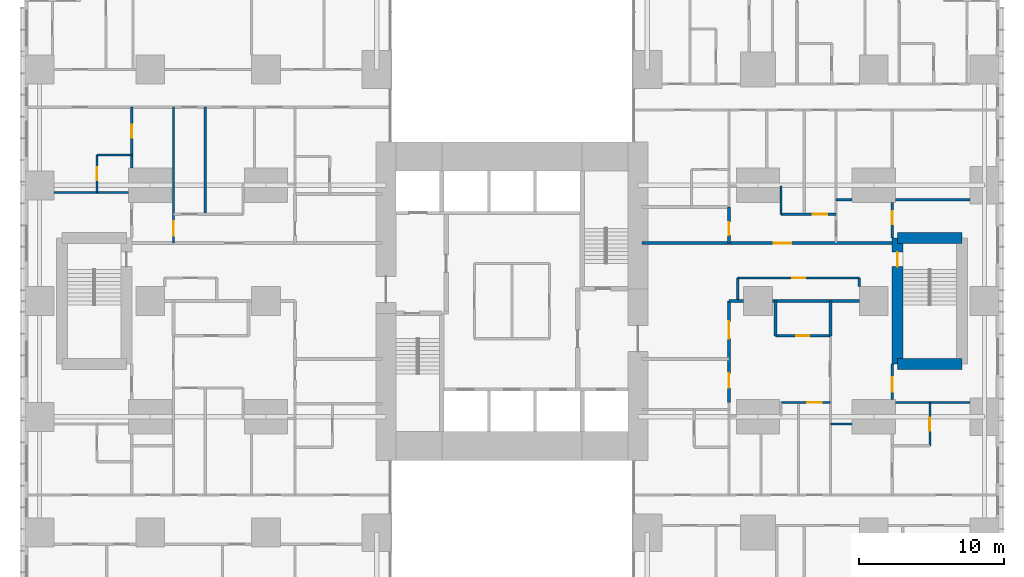
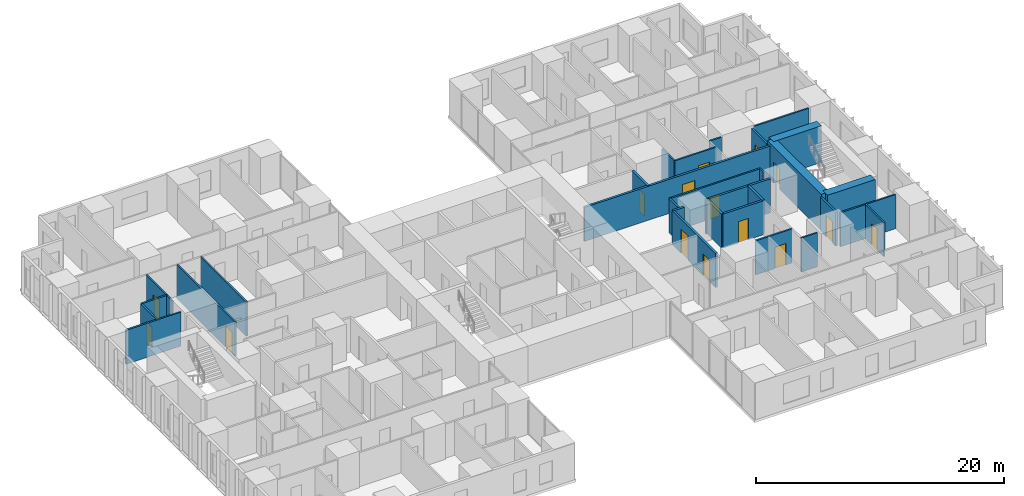
# One storey, part 16 of 21: 30 walls, 15 doors, 15 openings.
"""IFC4 building model written with IfcOpenShell, lengths in metres."""

from ifc_helpers import new_model, si_unit, direction, frame, frame_2d, origin, place, context, subcontext, project, spatial, rectangle, extrude, material, layer, layer_set, type_object, element, fill, save


model = new_model("IFC4")

# Units and contexts
model_context = context("Model", 3, precision=1e-05, world=origin(), true_north=direction((0.0, 1.0)))
body_context = subcontext(model_context, "Body", "Model", "MODEL_VIEW")
ifc_project = project(units=[si_unit("LENGTHUNIT", "METRE"), si_unit("AREAUNIT", "SQUARE_METRE"), si_unit("VOLUMEUNIT", "CUBIC_METRE"), si_unit("PLANEANGLEUNIT", "RADIAN"), si_unit("MASSUNIT", "GRAM", prefix="KILO")], contexts=[model_context])

# Site, building, storey
site_placement = place(None, origin())
site = spatial("IfcSite", under=ifc_project, at=site_placement, CompositionType="ELEMENT")
building_placement = place(site_placement, origin())
building = spatial("IfcBuilding", under=site, at=building_placement, Name="Cleftline Residences", CompositionType="ELEMENT")
storey_placement = place(building_placement, frame((0.0, 0.0, 65.60009765625)))
storey = spatial("IfcBuildingStorey", under=building, at=storey_placement, Name="L16", CompositionType="ELEMENT", Elevation=65.60009765625)

# Wall, opening, door
ifc_material_1 = material(Name="Concrete blockwork, fire rated", Category="masonry")
ifc_layer_1 = layer(ifc_material_1, 0.199951171875)
ifc_layer_set_1 = layer_set([ifc_layer_1], Name="FIRE WALL 200")
wall_type_1 = type_object("IfcWallType", Name="FIRE WALL 200", PredefinedType="PARTITIONING", material=ifc_layer_set_1)
wall_1_placement = place(storey_placement, frame((51.199951171875, 21.60009765625, 0.0), z_axis=(0.0, 0.0, 1.0), x_axis=(1.0, 0.0, 0.0)))
wall_1 = element("IfcWall", 1, at=wall_1_placement, inside=storey, type_object=wall_type_1, Name="Fire separating wall", PredefinedType="PARTITIONING", context=body_context, shape_type="SweptSolid", body=[
    extrude(rectangle(XDim=3.800048828125, YDim=0.199951171875, at=frame_2d((1.89990234375, 0.0))), origin(), (0.0, 0.0, 1.0), 3.349853515625),
])
opening_1_placement = place(wall_1_placement, frame((1.449951171875, 0.0, 0.0)))
opening_1 = element("IfcOpeningElement", 2, at=opening_1_placement, cuts=wall_1, Name="Opening D1F30", PredefinedType="OPENING", context=body_context, shape_type="SweptSolid", body=[
    extrude(rectangle(XDim=0.89990234375, YDim=2.10009765625, at=frame_2d((0.449951171875, 1.050048828125))), frame((0.0, 0.10986328125, 0.0), z_axis=(0.0, -1.0, 0.0), x_axis=(1.0, 0.0, 0.0)), (0.0, 0.0, 1.0), 0.219970703125),
])
ifc_material_2 = material(Name="Timber veneer on solid core", Category="wood")
door_type_1 = type_object("IfcDoorType", Name="DOOR 900X2100 EI 30", OperationType="SINGLE_SWING_LEFT", PredefinedType="DOOR", material=ifc_material_2)
door_1_placement = place(opening_1_placement, origin())
door_1 = element("IfcDoor", 3, at=door_1_placement, inside=storey, type_object=door_type_1, Name="Door to cloakroom wc", OperationType="SINGLE_SWING_LEFT", OverallHeight=2.10009765625, OverallWidth=0.89990234375, PredefinedType="DOOR", context=body_context, shape_type="SweptSolid", body=[
    extrude(rectangle(XDim=0.89990234375, YDim=2.10009765625, at=frame_2d((0.449951171875, 1.050048828125))), frame((0.0, 0.02490234375, 0.0), z_axis=(0.0, -1.0, 0.0), x_axis=(1.0, 0.0, 0.0)), (0.0, 0.0, 1.0), 0.050048828125),
])
fill(opening_1, door_1)

# Walls
wall_2_placement = place(storey_placement, frame((48.0, 24.0, 0.0), z_axis=(0.0, 0.0, 1.0), x_axis=(1.0, 0.0, 0.0)))
element("IfcWall", 4, at=wall_2_placement, inside=storey, type_object=wall_type_1, Name="Fire separating wall", PredefinedType="PARTITIONING", context=body_context, shape_type="SweptSolid", body=[
    extrude(rectangle(XDim=1.0, YDim=0.199951171875, at=frame_2d((0.5, 0.0))), origin(), (0.0, 0.0, 1.0), 3.349853515625),
])
wall_3_placement = place(storey_placement, frame((51.0, 24.0, 0.0), z_axis=(0.0, 0.0, 1.0), x_axis=(1.0, 0.0, 0.0)))
element("IfcWall", 5, at=wall_3_placement, inside=storey, type_object=wall_type_1, Name="Fire separating wall", PredefinedType="PARTITIONING", context=body_context, shape_type="SweptSolid", body=[
    extrude(rectangle(XDim=6.0, YDim=0.199951171875, at=frame_2d((3.0, 0.0))), origin(), (0.0, 0.0, 1.0), 3.349853515625),
])

# Wall, opening, door
wall_4_placement = place(storey_placement, frame((42.0, 28.0, 0.0), z_axis=(0.0, 0.0, 1.0), x_axis=(1.0, 0.0, 0.0)))
wall_4 = element("IfcWall", 6, at=wall_4_placement, inside=storey, type_object=wall_type_1, Name="Fire separating wall", PredefinedType="PARTITIONING", context=body_context, shape_type="SweptSolid", body=[
    extrude(rectangle(XDim=17.27490234375, YDim=0.199951171875, at=frame_2d((8.637451171875, 0.0))), origin(), (0.0, 0.0, 1.0), 3.349853515625),
])
opening_2_placement = place(wall_4_placement, frame((9.10009765625, 0.0, 0.0)))
opening_2 = element("IfcOpeningElement", 7, at=opening_2_placement, cuts=wall_4, Name="Opening D4", PredefinedType="OPENING", context=body_context, shape_type="SweptSolid", body=[
    extrude(rectangle(XDim=1.199951171875, YDim=2.39990234375, at=frame_2d((0.60009765625, 1.199951171875))), frame((0.0, 0.10986328125, 0.0), z_axis=(0.0, -1.0, 0.0), x_axis=(1.0, 0.0, 0.0)), (0.0, 0.0, 1.0), 0.219970703125),
])
ifc_material_3 = material(Name="Timber veneer on solid core", Category="wood")
door_type_2 = type_object("IfcDoorType", Name="APARTMENT ENTRANCE DOOR 1200X2400", OperationType="SINGLE_SWING_RIGHT", PredefinedType="DOOR", material=ifc_material_3)
door_2_placement = place(opening_2_placement, origin())
door_2 = element("IfcDoor", 8, at=door_2_placement, inside=storey, type_object=door_type_2, Name="Door to residence entrance foyer", OperationType="SINGLE_SWING_LEFT", OverallHeight=2.39990234375, OverallWidth=1.199951171875, PredefinedType="DOOR", context=body_context, shape_type="SweptSolid", body=[
    extrude(rectangle(XDim=1.199951171875, YDim=2.39990234375, at=frame_2d((0.60009765625, 1.199951171875))), frame((0.0, 0.02490234375, 0.0), z_axis=(0.0, -1.0, 0.0), x_axis=(1.0, 0.0, 0.0)), (0.0, 0.0, 1.0), 0.050048828125),
])
fill(opening_2, door_2)

# Wall, openings, doors
wall_5_placement = place(storey_placement, frame((48.0, 17.0, 0.0), z_axis=(0.0, 0.0, 1.0), x_axis=(0.0, 1.0, 0.0)))
wall_5 = element("IfcWall", 9, at=wall_5_placement, inside=storey, type_object=wall_type_1, Name="Fire separating wall", PredefinedType="PARTITIONING", context=body_context, shape_type="SweptSolid", body=[
    extrude(rectangle(XDim=7.0, YDim=0.199951171875, at=frame_2d((3.5, 0.0))), origin(), (0.0, 0.0, 1.0), 3.349853515625),
])
opening_3_placement = place(wall_5_placement, frame((4.39990234375, 0.0, 0.0)))
opening_3 = element("IfcOpeningElement", 10, at=opening_3_placement, cuts=wall_5, Name="Opening D4", PredefinedType="OPENING", context=body_context, shape_type="SweptSolid", body=[
    extrude(rectangle(XDim=1.199951171875, YDim=2.39990234375, at=frame_2d((0.60009765625, 1.199951171875))), frame((0.0, 0.10986328125, 0.0), z_axis=(0.0, -1.0, 0.0), x_axis=(1.0, 0.0, 0.0)), (0.0, 0.0, 1.0), 0.219970703125),
])
opening_4_placement = place(wall_5_placement, frame((1.0, 0.0, 0.0)))
opening_4 = element("IfcOpeningElement", 11, at=opening_4_placement, cuts=wall_5, Name="Opening D2F30", PredefinedType="OPENING", context=body_context, shape_type="SweptSolid", body=[
    extrude(rectangle(XDim=1.0, YDim=2.10009765625, at=frame_2d((0.5, 1.050048828125))), frame((0.0, 0.10986328125, 0.0), z_axis=(0.0, -1.0, 0.0), x_axis=(1.0, 0.0, 0.0)), (0.0, 0.0, 1.0), 0.219970703125),
])
door_3_placement = place(opening_3_placement, origin())
door_3 = element("IfcDoor", 12, at=door_3_placement, inside=storey, type_object=door_type_2, Name="Door to residence entrance foyer", OperationType="SINGLE_SWING_LEFT", OverallHeight=2.39990234375, OverallWidth=1.199951171875, PredefinedType="DOOR", context=body_context, shape_type="SweptSolid", body=[
    extrude(rectangle(XDim=1.199951171875, YDim=2.39990234375, at=frame_2d((0.60009765625, 1.199951171875))), frame((0.0, 0.02490234375, 0.0), z_axis=(0.0, -1.0, 0.0), x_axis=(1.0, 0.0, 0.0)), (0.0, 0.0, 1.0), 0.050048828125),
])
fill(opening_3, door_3)
ifc_material_4 = material(Name="Timber veneer on solid core", Category="wood")
door_type_3 = type_object("IfcDoorType", Name="DOOR 1000X2100 EI 30", OperationType="SINGLE_SWING_LEFT", PredefinedType="DOOR", material=ifc_material_4)
door_4_placement = place(opening_4_placement, origin())
door_4 = element("IfcDoor", 13, at=door_4_placement, inside=storey, type_object=door_type_3, Name="Door to wet kitchen", OperationType="SINGLE_SWING_RIGHT", OverallHeight=2.10009765625, OverallWidth=1.0, PredefinedType="DOOR", context=body_context, shape_type="SweptSolid", body=[
    extrude(rectangle(XDim=1.0, YDim=2.10009765625, at=frame_2d((0.5, 1.050048828125))), frame((0.0, 0.02490234375, 0.0), z_axis=(0.0, -1.0, 0.0), x_axis=(1.0, 0.0, 0.0)), (0.0, 0.0, 1.0), 0.050048828125),
])
fill(opening_4, door_4)

# Wall, opening, door
wall_6_placement = place(storey_placement, frame((48.0, 28.0, 0.0), z_axis=(0.0, 0.0, 1.0), x_axis=(0.0, 1.0, 0.0)))
wall_6 = element("IfcWall", 14, at=wall_6_placement, inside=storey, type_object=wall_type_1, Name="Fire separating wall", PredefinedType="PARTITIONING", context=body_context, shape_type="SweptSolid", body=[
    extrude(rectangle(XDim=2.5, YDim=0.199951171875, at=frame_2d((1.25, 0.0))), origin(), (0.0, 0.0, 1.0), 3.349853515625),
])
opening_5_placement = place(wall_6_placement, frame((0.550048828125, 0.0, 0.0)))
opening_5 = element("IfcOpeningElement", 15, at=opening_5_placement, cuts=wall_6, Name="Opening D1F30", PredefinedType="OPENING", context=body_context, shape_type="SweptSolid", body=[
    extrude(rectangle(XDim=0.89990234375, YDim=2.10009765625, at=frame_2d((0.449951171875, 1.050048828125))), frame((0.0, 0.10986328125, 0.0), z_axis=(0.0, -1.0, 0.0), x_axis=(1.0, 0.0, 0.0)), (0.0, 0.0, 1.0), 0.219970703125),
])
door_5_placement = place(opening_5_placement, origin())
door_5 = element("IfcDoor", 16, at=door_5_placement, inside=storey, type_object=door_type_1, Name="Door to laundry and wc", OperationType="SINGLE_SWING_RIGHT", OverallHeight=2.10009765625, OverallWidth=0.89990234375, PredefinedType="DOOR", context=body_context, shape_type="SweptSolid", body=[
    extrude(rectangle(XDim=0.89990234375, YDim=2.10009765625, at=frame_2d((0.449951171875, 1.050048828125))), frame((0.0, 0.02490234375, 0.0), z_axis=(0.0, -1.0, 0.0), x_axis=(1.0, 0.0, 0.0)), (0.0, 0.0, 1.0), 0.050048828125),
])
fill(opening_5, door_5)

# Walls
for number, where, z_axis, x_axis, name in (
    (17, (51.199951171875, 21.60009765625, 0.0), (0.0, 0.0, 1.0), (0.0, 1.0, 0.0), "Fire separating wall"),
    (18, (55.0, 21.60009765625, 0.0), (0.0, 0.0, 1.0), (0.0, 1.0, 0.0), "Fire separating wall"),
):
    element("IfcWall", number, at=place(storey_placement, frame(where, z_axis=z_axis, x_axis=x_axis)), inside=storey, type_object=wall_type_1, Name=name, PredefinedType="PARTITIONING", context=body_context, shape_type="SweptSolid", body=[
        extrude(rectangle(XDim=2.39990234375, YDim=0.199951171875, at=frame_2d((1.199951171875, 0.0))), origin(), (0.0, 0.0, 1.0), 3.349853515625),
    ])
ifc_material_5 = material(Name="Gypsum board on steel studs", Category="steel")
ifc_layer_2 = layer(ifc_material_5, 0.14990234375)
ifc_layer_set_2 = layer_set([ifc_layer_2], Name="PARTITION 150")
wall_type_2 = type_object("IfcWallType", Name="PARTITION 150", PredefinedType="PARTITIONING", material=ifc_layer_set_2)
wall_7_placement = place(storey_placement, frame((55.0, 15.5, 0.0), z_axis=(0.0, 0.0, 1.0), x_axis=(1.0, 0.0, 0.0)))
element("IfcWall", 19, at=wall_7_placement, inside=storey, type_object=wall_type_2, Name="Partition", PredefinedType="PARTITIONING", context=body_context, shape_type="SweptSolid", body=[
    extrude(rectangle(XDim=1.5, YDim=0.14990234375, at=frame_2d((0.75, 0.0))), origin(), (0.0, 0.0, 1.0), 3.349853515625),
])

# Wall, opening, door
wall_8_placement = place(storey_placement, frame((51.60009765625, 17.0, 0.0), z_axis=(0.0, 0.0, 1.0), x_axis=(1.0, 0.0, 0.0)))
wall_8 = element("IfcWall", 20, at=wall_8_placement, inside=storey, type_object=wall_type_2, Name="Partition", PredefinedType="PARTITIONING", context=body_context, shape_type="SweptSolid", body=[
    extrude(rectangle(XDim=3.39990234375, YDim=0.14990234375, at=frame_2d((1.699951171875, 0.0))), origin(), (0.0, 0.0, 1.0), 3.349853515625),
])
opening_6_placement = place(wall_8_placement, frame((1.800048828125, 0.0, 0.0)))
opening_6 = element("IfcOpeningElement", 21, at=opening_6_placement, cuts=wall_8, Name="Opening D2", PredefinedType="OPENING", context=body_context, shape_type="SweptSolid", body=[
    extrude(rectangle(XDim=1.0, YDim=2.10009765625, at=frame_2d((0.5, 1.050048828125))), frame((0.0, 0.0849609375, 0.0), z_axis=(0.0, -1.0, 0.0), x_axis=(1.0, 0.0, 0.0)), (0.0, 0.0, 1.0), 0.169921875),
])
ifc_material_6 = material(Name="Timber veneer on solid core", Category="wood")
door_type_4 = type_object("IfcDoorType", Name="DOOR 1000X2100", OperationType="SINGLE_SWING_LEFT", PredefinedType="DOOR", material=ifc_material_6)
door_6_placement = place(opening_6_placement, origin())
door_6 = element("IfcDoor", 22, at=door_6_placement, inside=storey, type_object=door_type_4, Name="Door to residence passage", OperationType="SINGLE_SWING_LEFT", OverallHeight=2.10009765625, OverallWidth=1.0, PredefinedType="DOOR", context=body_context, shape_type="SweptSolid", body=[
    extrude(rectangle(XDim=1.0, YDim=2.10009765625, at=frame_2d((0.5, 1.050048828125))), frame((0.0, 0.02490234375, 0.0), z_axis=(0.0, -1.0, 0.0), x_axis=(1.0, 0.0, 0.0)), (0.0, 0.0, 1.0), 0.050048828125),
])
fill(opening_6, door_6)

# Wall
wall_9_placement = place(storey_placement, frame((59.5, 17.0, 0.0), z_axis=(0.0, 0.0, 1.0), x_axis=(1.0, 0.0, 0.0)))
element("IfcWall", 23, at=wall_9_placement, inside=storey, type_object=wall_type_2, Name="Partition", PredefinedType="PARTITIONING", context=body_context, shape_type="SweptSolid", body=[
    extrude(rectangle(XDim=5.14990234375, YDim=0.14990234375, at=frame_2d((2.574951171875, 0.0))), origin(), (0.0, 0.0, 1.0), 3.349853515625),
])

# Wall, opening, door
wall_10_placement = place(storey_placement, frame((48.60009765625, 25.60009765625, 0.0), z_axis=(0.0, 0.0, 1.0), x_axis=(1.0, 0.0, 0.0)))
wall_10 = element("IfcWall", 24, at=wall_10_placement, inside=storey, type_object=wall_type_2, Name="Partition", PredefinedType="PARTITIONING", context=body_context, shape_type="SweptSolid", body=[
    extrude(rectangle(XDim=8.39990234375, YDim=0.14990234375, at=frame_2d((4.199951171875, 0.0))), origin(), (0.0, 0.0, 1.0), 3.349853515625),
])
opening_7_placement = place(wall_10_placement, frame((3.75, 0.0, 0.0)))
opening_7 = element("IfcOpeningElement", 25, at=opening_7_placement, cuts=wall_10, Name="Opening D1", PredefinedType="OPENING", context=body_context, shape_type="SweptSolid", body=[
    extrude(rectangle(XDim=0.89990234375, YDim=2.10009765625, at=frame_2d((0.449951171875, 1.050048828125))), frame((0.0, 0.0849609375, 0.0), z_axis=(0.0, -1.0, 0.0), x_axis=(1.0, 0.0, 0.0)), (0.0, 0.0, 1.0), 0.169921875),
])
ifc_material_7 = material(Name="Timber veneer on solid core", Category="wood")
door_type_5 = type_object("IfcDoorType", Name="DOOR 900X2100", OperationType="SINGLE_SWING_LEFT", PredefinedType="DOOR", material=ifc_material_7)
door_7_placement = place(opening_7_placement, origin())
door_7 = element("IfcDoor", 26, at=door_7_placement, inside=storey, type_object=door_type_5, Name="Door to residents' locker room", OperationType="SINGLE_SWING_LEFT", OverallHeight=2.10009765625, OverallWidth=0.89990234375, PredefinedType="DOOR", context=body_context, shape_type="SweptSolid", body=[
    extrude(rectangle(XDim=0.89990234375, YDim=2.10009765625, at=frame_2d((0.449951171875, 1.050048828125))), frame((0.0, 0.02490234375, 0.0), z_axis=(0.0, -1.0, 0.0), x_axis=(1.0, 0.0, 0.0)), (0.0, 0.0, 1.0), 0.050048828125),
])
fill(opening_7, door_7)

wall_11_placement = place(storey_placement, frame((51.60009765625, 30.0, 0.0), z_axis=(0.0, 0.0, 1.0), x_axis=(1.0, 0.0, 0.0)))
wall_11 = element("IfcWall", 27, at=wall_11_placement, inside=storey, type_object=wall_type_2, Name="Partition", PredefinedType="PARTITIONING", context=body_context, shape_type="SweptSolid", body=[
    extrude(rectangle(XDim=3.7998046875, YDim=0.14990234375, at=frame_2d((1.89990234375, 0.0))), origin(), (0.0, 0.0, 1.0), 3.349853515625),
])
opening_8_placement = place(wall_11_placement, frame((2.199951171875, 0.0, 0.0)))
opening_8 = element("IfcOpeningElement", 28, at=opening_8_placement, cuts=wall_11, Name="Opening D2", PredefinedType="OPENING", context=body_context, shape_type="SweptSolid", body=[
    extrude(rectangle(XDim=1.0, YDim=2.10009765625, at=frame_2d((0.5, 1.050048828125))), frame((0.0, 0.0849609375, 0.0), z_axis=(0.0, -1.0, 0.0), x_axis=(1.0, 0.0, 0.0)), (0.0, 0.0, 1.0), 0.169921875),
])
door_8_placement = place(opening_8_placement, origin())
door_8 = element("IfcDoor", 29, at=door_8_placement, inside=storey, type_object=door_type_4, Name="Door to residence passage", OperationType="SINGLE_SWING_LEFT", OverallHeight=2.10009765625, OverallWidth=1.0, PredefinedType="DOOR", context=body_context, shape_type="SweptSolid", body=[
    extrude(rectangle(XDim=1.0, YDim=2.10009765625, at=frame_2d((0.5, 1.050048828125))), frame((0.0, 0.02490234375, 0.0), z_axis=(0.0, -1.0, 0.0), x_axis=(1.0, 0.0, 0.0)), (0.0, 0.0, 1.0), 0.050048828125),
])
fill(opening_8, door_8)

# Walls
wall_12_placement = place(storey_placement, frame((55.39990234375, 31.0, 0.0), z_axis=(0.0, 0.0, 1.0), x_axis=(1.0, 0.0, 0.0)))
element("IfcWall", 30, at=wall_12_placement, inside=storey, type_object=wall_type_2, Name="Partition", PredefinedType="PARTITIONING", context=body_context, shape_type="SweptSolid", body=[
    extrude(rectangle(XDim=1.10009765625, YDim=0.14990234375, at=frame_2d((0.550048828125, 0.0))), origin(), (0.0, 0.0, 1.0), 3.349853515625),
])
for number, where, z_axis, x_axis, name in (
    (31, (59.5, 31.0, 0.0), (0.0, 0.0, 1.0), (1.0, 0.0, 0.0), "Partition"),
    (32, (1.35009765625, 31.5, 0.0), (0.0, 0.0, 1.0), (1.0, 0.0, 0.0), "Partition"),
):
    element("IfcWall", number, at=place(storey_placement, frame(where, z_axis=z_axis, x_axis=x_axis)), inside=storey, type_object=wall_type_2, Name=name, PredefinedType="PARTITIONING", context=body_context, shape_type="SweptSolid", body=[
        extrude(rectangle(XDim=5.14990234375, YDim=0.14990234375, at=frame_2d((2.574951171875, 0.0))), origin(), (0.0, 0.0, 1.0), 3.349853515625),
    ])
wall_13_placement = place(storey_placement, frame((4.324951171875, 34.10009765625, 0.0), z_axis=(0.0, 0.0, 1.0), x_axis=(1.0, 0.0, 0.0)))
element("IfcWall", 33, at=wall_13_placement, inside=storey, type_object=wall_type_2, Name="Partition", PredefinedType="PARTITIONING", context=body_context, shape_type="SweptSolid", body=[
    extrude(rectangle(XDim=2.400146484375, YDim=0.14990234375, at=frame_2d((1.2001953125, 0.0))), origin(), (0.0, 0.0, 1.0), 3.349853515625),
])

# Wall, opening, door
wall_14_placement = place(storey_placement, frame((4.324951171875, 31.5, 0.0), z_axis=(0.0, 0.0, 1.0), x_axis=(0.0, 1.0, 0.0)))
wall_14 = element("IfcWall", 34, at=wall_14_placement, inside=storey, type_object=wall_type_2, Name="Partition", PredefinedType="PARTITIONING", context=body_context, shape_type="SweptSolid", body=[
    extrude(rectangle(XDim=2.60009765625, YDim=0.14990234375, at=frame_2d((1.300048828125, 0.0))), origin(), (0.0, 0.0, 1.0), 3.349853515625),
])
opening_9_placement = place(wall_14_placement, frame((0.85009765625, 0.0, 0.0)))
opening_9 = element("IfcOpeningElement", 35, at=opening_9_placement, cuts=wall_14, Name="Opening D1", PredefinedType="OPENING", context=body_context, shape_type="SweptSolid", body=[
    extrude(rectangle(XDim=0.89990234375, YDim=2.10009765625, at=frame_2d((0.449951171875, 1.050048828125))), frame((0.0, 0.0849609375, 0.0), z_axis=(0.0, -1.0, 0.0), x_axis=(1.0, 0.0, 0.0)), (0.0, 0.0, 1.0), 0.169921875),
])
door_9_placement = place(opening_9_placement, origin())
door_9 = element("IfcDoor", 36, at=door_9_placement, inside=storey, type_object=door_type_5, Name="Door to master bathroom", OperationType="SINGLE_SWING_LEFT", OverallHeight=2.10009765625, OverallWidth=0.89990234375, PredefinedType="DOOR", context=body_context, shape_type="SweptSolid", body=[
    extrude(rectangle(XDim=0.89990234375, YDim=2.10009765625, at=frame_2d((0.449951171875, 1.050048828125))), frame((0.0, 0.02490234375, 0.0), z_axis=(0.0, -1.0, 0.0), x_axis=(1.0, 0.0, 0.0)), (0.0, 0.0, 1.0), 0.050048828125),
])
fill(opening_9, door_9)

wall_15_placement = place(storey_placement, frame((6.72509765625, 33.199951171875, 0.0), z_axis=(0.0, 0.0, 1.0), x_axis=(0.0, 1.0, 0.0)))
wall_15 = element("IfcWall", 37, at=wall_15_placement, inside=storey, type_object=wall_type_2, Name="Partition", PredefinedType="PARTITIONING", context=body_context, shape_type="SweptSolid", body=[
    extrude(rectangle(XDim=4.199951171875, YDim=0.14990234375, at=frame_2d((2.10009765625, 0.0))), origin(), (0.0, 0.0, 1.0), 3.349853515625),
])
opening_10_placement = place(wall_15_placement, frame((2.10009765625, 0.0, 0.0)))
opening_10 = element("IfcOpeningElement", 38, at=opening_10_placement, cuts=wall_15, Name="Opening D1", PredefinedType="OPENING", context=body_context, shape_type="SweptSolid", body=[
    extrude(rectangle(XDim=0.89990234375, YDim=2.10009765625, at=frame_2d((0.449951171875, 1.050048828125))), frame((0.0, 0.0849609375, 0.0), z_axis=(0.0, -1.0, 0.0), x_axis=(1.0, 0.0, 0.0)), (0.0, 0.0, 1.0), 0.169921875),
])
door_10_placement = place(opening_10_placement, origin())
door_10 = element("IfcDoor", 39, at=door_10_placement, inside=storey, type_object=door_type_5, Name="Door to master dressing room", OperationType="SINGLE_SWING_LEFT", OverallHeight=2.10009765625, OverallWidth=0.89990234375, PredefinedType="DOOR", context=body_context, shape_type="SweptSolid", body=[
    extrude(rectangle(XDim=0.89990234375, YDim=2.10009765625, at=frame_2d((0.449951171875, 1.050048828125))), frame((0.0, 0.02490234375, 0.0), z_axis=(0.0, -1.0, 0.0), x_axis=(1.0, 0.0, 0.0)), (0.0, 0.0, 1.0), 0.050048828125),
])
fill(opening_10, door_10)

wall_16_placement = place(storey_placement, frame((9.60009765625, 28.0, 0.0), z_axis=(0.0, 0.0, 1.0), x_axis=(0.0, 1.0, 0.0)))
wall_16 = element("IfcWall", 40, at=wall_16_placement, inside=storey, type_object=wall_type_2, Name="Partition", PredefinedType="PARTITIONING", context=body_context, shape_type="SweptSolid", body=[
    extrude(rectangle(XDim=9.39990234375, YDim=0.14990234375, at=frame_2d((4.699951171875, 0.0))), origin(), (0.0, 0.0, 1.0), 3.349853515625),
])
opening_11_placement = place(wall_16_placement, frame((0.5, 0.0, 0.0)))
opening_11 = element("IfcOpeningElement", 41, at=opening_11_placement, cuts=wall_16, Name="Opening D2F30", PredefinedType="OPENING", context=body_context, shape_type="SweptSolid", body=[
    extrude(rectangle(XDim=1.0, YDim=2.10009765625, at=frame_2d((0.5, 1.050048828125))), frame((0.0, 0.0849609375, 0.0), z_axis=(0.0, -1.0, 0.0), x_axis=(1.0, 0.0, 0.0)), (0.0, 0.0, 1.0), 0.169921875),
])
door_11_placement = place(opening_11_placement, origin())
door_11 = element("IfcDoor", 42, at=door_11_placement, inside=storey, type_object=door_type_3, Name="Door to residence lobby", OperationType="SINGLE_SWING_RIGHT", OverallHeight=2.10009765625, OverallWidth=1.0, PredefinedType="DOOR", context=body_context, shape_type="SweptSolid", body=[
    extrude(rectangle(XDim=1.0, YDim=2.10009765625, at=frame_2d((0.5, 1.050048828125))), frame((0.0, 0.02490234375, 0.0), z_axis=(0.0, -1.0, 0.0), x_axis=(1.0, 0.0, 0.0)), (0.0, 0.0, 1.0), 0.050048828125),
])
fill(opening_11, door_11)

# Walls
wall_17_placement = place(storey_placement, frame((11.800048828125, 30.0, 0.0), z_axis=(0.0, 0.0, 1.0), x_axis=(0.0, 1.0, 0.0)))
element("IfcWall", 43, at=wall_17_placement, inside=storey, type_object=wall_type_2, Name="Partition", PredefinedType="PARTITIONING", context=body_context, shape_type="SweptSolid", body=[
    extrude(rectangle(XDim=7.39990234375, YDim=0.14990234375, at=frame_2d((3.699951171875, 0.0))), origin(), (0.0, 0.0, 1.0), 3.349853515625),
])
wall_18_placement = place(storey_placement, frame((48.60009765625, 24.0, 0.0), z_axis=(0.0, 0.0, 1.0), x_axis=(0.0, 1.0, 0.0)))
element("IfcWall", 44, at=wall_18_placement, inside=storey, type_object=wall_type_2, Name="Partition", PredefinedType="PARTITIONING", context=body_context, shape_type="SweptSolid", body=[
    extrude(rectangle(XDim=1.60009765625, YDim=0.14990234375, at=frame_2d((0.800048828125, 0.0))), origin(), (0.0, 0.0, 1.0), 3.349853515625),
])
wall_19_placement = place(storey_placement, frame((51.60009765625, 30.0, 0.0), z_axis=(0.0, 0.0, 1.0), x_axis=(0.0, 1.0, 0.0)))
element("IfcWall", 45, at=wall_19_placement, inside=storey, type_object=wall_type_2, Name="Partition", PredefinedType="PARTITIONING", context=body_context, shape_type="SweptSolid", body=[
    extrude(rectangle(XDim=1.949951171875, YDim=0.14990234375, at=frame_2d((0.97509765625, 0.0))), origin(), (0.0, 0.0, 1.0), 3.349853515625),
])
wall_20_placement = place(storey_placement, frame((57.0, 25.0, 0.0), z_axis=(0.0, 0.0, 1.0), x_axis=(0.0, 1.0, 0.0)))
element("IfcWall", 46, at=wall_20_placement, inside=storey, type_object=wall_type_2, Name="Partition", PredefinedType="PARTITIONING", context=body_context, shape_type="SweptSolid", body=[
    extrude(rectangle(XDim=0.60009765625, YDim=0.14990234375, at=frame_2d((0.300048828125, 0.0))), origin(), (0.0, 0.0, 1.0), 3.349853515625),
])

# Wall, opening, door
wall_21_placement = place(storey_placement, frame((59.27490234375, 17.199951171875, 0.0), z_axis=(0.0, 0.0, 1.0), x_axis=(0.0, 1.0, 0.0)))
wall_21 = element("IfcWall", 47, at=wall_21_placement, inside=storey, type_object=wall_type_2, Name="Partition", PredefinedType="PARTITIONING", context=body_context, shape_type="SweptSolid", body=[
    extrude(rectangle(XDim=2.449951171875, YDim=0.14990234375, at=frame_2d((1.22509765625, 0.0))), origin(), (0.0, 0.0, 1.0), 3.349853515625),
])
opening_12_placement = place(wall_21_placement, frame((0.53759765625, 0.0, 0.0)))
opening_12 = element("IfcOpeningElement", 48, at=opening_12_placement, cuts=wall_21, Name="Opening D2", PredefinedType="OPENING", context=body_context, shape_type="SweptSolid", body=[
    extrude(rectangle(XDim=1.0, YDim=2.10009765625, at=frame_2d((0.5, 1.050048828125))), frame((0.0, 0.0849609375, 0.0), z_axis=(0.0, -1.0, 0.0), x_axis=(1.0, 0.0, 0.0)), (0.0, 0.0, 1.0), 0.169921875),
])
door_12_placement = place(opening_12_placement, origin())
door_12 = element("IfcDoor", 49, at=door_12_placement, inside=storey, type_object=door_type_4, Name="Door to altar room", OperationType="SINGLE_SWING_RIGHT", OverallHeight=2.10009765625, OverallWidth=1.0, PredefinedType="DOOR", context=body_context, shape_type="SweptSolid", body=[
    extrude(rectangle(XDim=1.0, YDim=2.10009765625, at=frame_2d((0.5, 1.050048828125))), frame((0.0, 0.02490234375, 0.0), z_axis=(0.0, -1.0, 0.0), x_axis=(1.0, 0.0, 0.0)), (0.0, 0.0, 1.0), 0.050048828125),
])
fill(opening_12, door_12)

wall_22_placement = place(storey_placement, frame((59.27490234375, 28.35009765625, 0.0), z_axis=(0.0, 0.0, 1.0), x_axis=(0.0, 1.0, 0.0)))
wall_22 = element("IfcWall", 50, at=wall_22_placement, inside=storey, type_object=wall_type_2, Name="Partition", PredefinedType="PARTITIONING", context=body_context, shape_type="SweptSolid", body=[
    extrude(rectangle(XDim=2.449951171875, YDim=0.14990234375, at=frame_2d((1.22509765625, 0.0))), origin(), (0.0, 0.0, 1.0), 3.349853515625),
])
opening_13_placement = place(wall_22_placement, frame((0.96240234375, 0.0, 0.0)))
opening_13 = element("IfcOpeningElement", 51, at=opening_13_placement, cuts=wall_22, Name="Opening D1", PredefinedType="OPENING", context=body_context, shape_type="SweptSolid", body=[
    extrude(rectangle(XDim=0.89990234375, YDim=2.10009765625, at=frame_2d((0.449951171875, 1.050048828125))), frame((0.0, 0.0849609375, 0.0), z_axis=(0.0, -1.0, 0.0), x_axis=(1.0, 0.0, 0.0)), (0.0, 0.0, 1.0), 0.169921875),
])
door_13_placement = place(opening_13_placement, origin())
door_13 = element("IfcDoor", 52, at=door_13_placement, inside=storey, type_object=door_type_5, Name="Door to drying loggia", OperationType="SINGLE_SWING_LEFT", OverallHeight=2.10009765625, OverallWidth=0.89990234375, PredefinedType="DOOR", context=body_context, shape_type="SweptSolid", body=[
    extrude(rectangle(XDim=0.89990234375, YDim=2.10009765625, at=frame_2d((0.449951171875, 1.050048828125))), frame((0.0, 0.02490234375, 0.0), z_axis=(0.0, -1.0, 0.0), x_axis=(1.0, 0.0, 0.0)), (0.0, 0.0, 1.0), 0.050048828125),
])
fill(opening_13, door_13)

wall_23_placement = place(storey_placement, frame((61.875, 14.0, 0.0), z_axis=(0.0, 0.0, 1.0), x_axis=(0.0, 1.0, 0.0)))
wall_23 = element("IfcWall", 53, at=wall_23_placement, inside=storey, type_object=wall_type_2, Name="Partition", PredefinedType="PARTITIONING", context=body_context, shape_type="SweptSolid", body=[
    extrude(rectangle(XDim=3.0, YDim=0.14990234375, at=frame_2d((1.5, 0.0))), origin(), (0.0, 0.0, 1.0), 3.349853515625),
])
opening_14_placement = place(wall_23_placement, frame((1.050048828125, 0.0, 0.0)))
opening_14 = element("IfcOpeningElement", 54, at=opening_14_placement, cuts=wall_23, Name="Opening D1", PredefinedType="OPENING", context=body_context, shape_type="SweptSolid", body=[
    extrude(rectangle(XDim=0.89990234375, YDim=2.10009765625, at=frame_2d((0.449951171875, 1.050048828125))), frame((0.0, 0.0849609375, 0.0), z_axis=(0.0, -1.0, 0.0), x_axis=(1.0, 0.0, 0.0)), (0.0, 0.0, 1.0), 0.169921875),
])
door_14_placement = place(opening_14_placement, origin())
door_14 = element("IfcDoor", 55, at=door_14_placement, inside=storey, type_object=door_type_5, Name="Door to master bathroom", OperationType="SINGLE_SWING_LEFT", OverallHeight=2.10009765625, OverallWidth=0.89990234375, PredefinedType="DOOR", context=body_context, shape_type="SweptSolid", body=[
    extrude(rectangle(XDim=0.89990234375, YDim=2.10009765625, at=frame_2d((0.449951171875, 1.050048828125))), frame((0.0, 0.02490234375, 0.0), z_axis=(0.0, -1.0, 0.0), x_axis=(1.0, 0.0, 0.0)), (0.0, 0.0, 1.0), 0.050048828125),
])
fill(opening_14, door_14)

# Walls
ifc_material_8 = material(Name="Concrete B70", Category="concrete")
ifc_layer_3 = layer(ifc_material_8, 0.75)
ifc_layer_set_3 = layer_set([ifc_layer_3], Name="SHEAR WALL 750")
wall_type_3 = type_object("IfcWallType", Name="SHEAR WALL 750", PredefinedType="SHEAR", material=ifc_layer_set_3)
for number, where, z_axis, x_axis, name in (
    (56, (59.64990234375, 19.64990234375, 0.0), (0.0, 0.0, 1.0), (1.0, 0.0, 0.0), "Wing shear wall"),
    (57, (64.10009765625, 28.35009765625, 0.0), (0.0, 0.0, 1.0), (-1.0, 0.0, 0.0), "Wing shear wall"),
):
    element("IfcWall", number, at=place(storey_placement, frame(where, z_axis=z_axis, x_axis=x_axis)), inside=storey, type_object=wall_type_3, Name=name, PredefinedType="SHEAR", context=body_context, shape_type="SweptSolid", body=[
        extrude(rectangle(XDim=4.4501953125, YDim=0.75, at=frame_2d((2.22509765625, 0.0))), origin(), (0.0, 0.0, 1.0), 3.599853515625),
    ])

# Wall, opening, door
wall_24_placement = place(storey_placement, frame((59.64990234375, 28.35009765625, 0.0), z_axis=(0.0, 0.0, 1.0), x_axis=(0.0, -1.0, 0.0)))
wall_24 = element("IfcWall", 58, at=wall_24_placement, inside=storey, type_object=wall_type_3, Name="Wing shear wall", PredefinedType="SHEAR", context=body_context, shape_type="SweptSolid", body=[
    extrude(rectangle(XDim=8.7001953125, YDim=0.75, at=frame_2d((4.35009765625, 0.0))), origin(), (0.0, 0.0, 1.0), 3.599853515625),
])
opening_15_placement = place(wall_24_placement, frame((0.97509765625, 0.0, 0.0)))
opening_15 = element("IfcOpeningElement", 59, at=opening_15_placement, cuts=wall_24, Name="Opening D5", PredefinedType="OPENING", context=body_context, shape_type="SweptSolid", body=[
    extrude(rectangle(XDim=1.0, YDim=2.10009765625, at=frame_2d((0.5, 1.050048828125))), frame((0.0, 0.385009765625, 0.0), z_axis=(0.0, -1.0, 0.0), x_axis=(1.0, 0.0, 0.0)), (0.0, 0.0, 1.0), 0.77001953125),
])
ifc_material_9 = material(Name="Steel", Category="steel")
door_type_6 = type_object("IfcDoorType", Name="STAIR DOOR 1000X2100", OperationType="SINGLE_SWING_LEFT", PredefinedType="DOOR", material=ifc_material_9)
door_15_placement = place(opening_15_placement, origin())
door_15 = element("IfcDoor", 60, at=door_15_placement, inside=storey, type_object=door_type_6, Name="Stair E door", OperationType="SINGLE_SWING_RIGHT", OverallHeight=2.10009765625, OverallWidth=1.0, PredefinedType="DOOR", context=body_context, shape_type="SweptSolid", body=[
    extrude(rectangle(XDim=1.0, YDim=2.10009765625, at=frame_2d((0.5, 1.050048828125))), frame((0.0, 0.02490234375, 0.0), z_axis=(0.0, -1.0, 0.0), x_axis=(1.0, 0.0, 0.0)), (0.0, 0.0, 1.0), 0.050048828125),
])
fill(opening_15, door_15)

save(model, "model.ifc")
